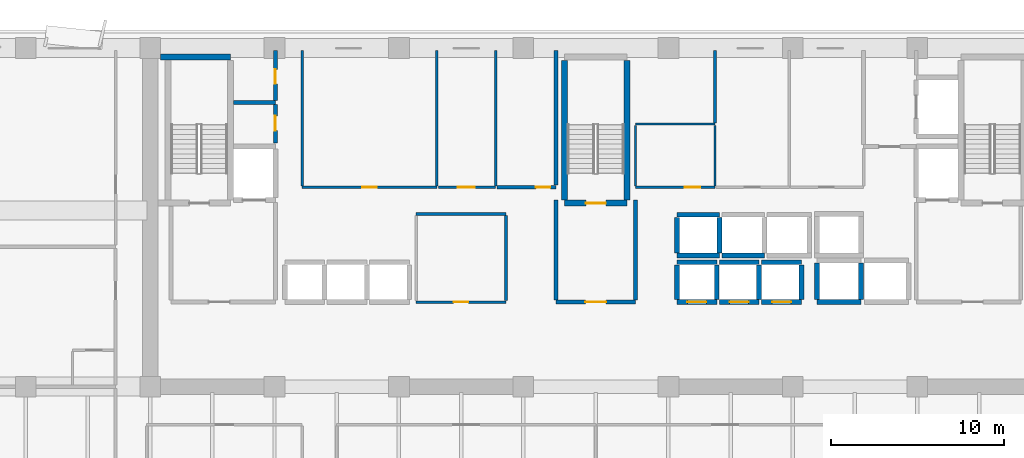
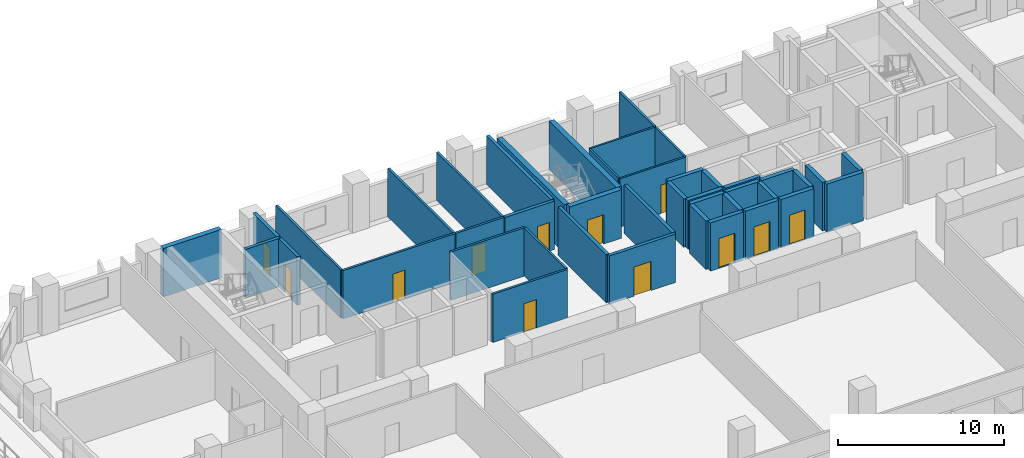
# One storey, part 8 of 16: 43 walls, 12 doors, 12 openings.
"""IFC4 building model written with IfcOpenShell, lengths in metres."""

from ifc_helpers import new_model, si_unit, direction, frame, frame_2d, origin, place, context, subcontext, project, spatial, rectangle, extrude, material, layer, layer_set, type_object, element, fill, save


model = new_model("IFC4")

# Units and contexts
model_context = context("Model", 3, precision=1e-05, world=origin(), true_north=direction((0.0, 1.0)))
body_context = subcontext(model_context, "Body", "Model", "MODEL_VIEW")
ifc_project = project(units=[si_unit("LENGTHUNIT", "METRE"), si_unit("AREAUNIT", "SQUARE_METRE"), si_unit("VOLUMEUNIT", "CUBIC_METRE"), si_unit("PLANEANGLEUNIT", "RADIAN"), si_unit("MASSUNIT", "GRAM", prefix="KILO")], contexts=[model_context])

# Site, building, storey
site_placement = place(None, origin())
site = spatial("IfcSite", under=ifc_project, at=site_placement, CompositionType="ELEMENT")
building_placement = place(site_placement, origin())
building = spatial("IfcBuilding", under=site, at=building_placement, Name="Kaelvorn Grand Hotel", CompositionType="ELEMENT")
storey_placement = place(building_placement, frame((0.0, 0.0, 135.35009765625)))
storey = spatial("IfcBuildingStorey", under=building, at=storey_placement, Name="L32", CompositionType="ELEMENT", Elevation=135.35009765625)

# Wall, opening, door
ifc_material_1 = material(Name="Moisture-Resistant Tile & Stud Board")
ifc_layer_1 = layer(ifc_material_1, 0.125)
ifc_layer_set_1 = layer_set([ifc_layer_1], Name="Moisture-Resistant Tile & Stud Board")
wall_type_1 = type_object("IfcWallType", Name="WL-PART-125-WET", PredefinedType="PARTITIONING", material=ifc_layer_set_1)
wall_1_placement = place(storey_placement, frame((44.300048828125, 40.949951171875, 0.0), z_axis=(0.0, 0.0, 1.0), x_axis=(1.0, 0.0, 0.0)))
wall_1 = element("IfcWall", 1, at=wall_1_placement, inside=storey, type_object=wall_type_1, Name="L32 Accessible WC S Partition", PredefinedType="PARTITIONING", context=body_context, shape_type="SweptSolid", body=[
    extrude(rectangle(XDim=4.599853515625, YDim=0.125, at=frame_2d((2.2998046875, 0.0))), origin(), (0.0, 0.0, 1.0), 3.559814453125),
])
opening_1_placement = place(wall_1_placement, frame((2.85009765625, 0.0, 0.0)))
opening_1 = element("IfcOpeningElement", 2, at=opening_1_placement, cuts=wall_1, Name="Opening DI4", PredefinedType="OPENING", context=body_context, shape_type="SweptSolid", body=[
    extrude(rectangle(XDim=0.89990234375, YDim=2.10009765625, at=frame_2d((0.449951171875, 1.050048828125))), frame((0.0, 0.072509765625, 0.0), z_axis=(0.0, -1.0, 0.0), x_axis=(1.0, 0.0, 0.0)), (0.0, 0.0, 1.0), 0.14501953125),
])
ifc_material_2 = material(Name="Timber Veneer Leaf", Category="wood")
door_type_1 = type_object("IfcDoorType", Name="DR-INT-BATH-900x2100", OperationType="NOTDEFINED", PredefinedType="DOOR", material=ifc_material_2)
door_1_placement = place(opening_1_placement, origin())
door_1 = element("IfcDoor", 3, at=door_1_placement, inside=storey, type_object=door_type_1, Name="L32 Accessible WC Door", OperationType="SINGLE_SWING_RIGHT", OverallHeight=2.10009765625, OverallWidth=0.89990234375, PredefinedType="DOOR", context=body_context, shape_type="SweptSolid", body=[
    extrude(rectangle(XDim=0.89990234375, YDim=2.10009765625, at=frame_2d((0.449951171875, 1.050048828125))), frame((0.0, 0.02490234375, 0.0), z_axis=(0.0, -1.0, 0.0), x_axis=(1.0, 0.0, 0.0)), (0.0, 0.0, 1.0), 0.050048828125),
])
fill(opening_1, door_1)

# Walls
wall_2_placement = place(storey_placement, frame((44.300048828125, 44.60009765625, 0.0), z_axis=(0.0, 0.0, 1.0), x_axis=(1.0, 0.0, 0.0)))
element("IfcWall", 4, at=wall_2_placement, inside=storey, type_object=wall_type_1, Name="L32 Accessible WC N Partition", PredefinedType="PARTITIONING", context=body_context, shape_type="SweptSolid", body=[
    extrude(rectangle(XDim=4.599853515625, YDim=0.125, at=frame_2d((2.2998046875, 0.0))), origin(), (0.0, 0.0, 1.0), 3.559814453125),
])
for number, where, z_axis, x_axis, name in (
    (5, (44.300048828125, 41.017578125, 0.0), (0.0, 0.0, 1.0), (0.0, 1.0, 0.0), "L32 Accessible WC W Partition"),
    (6, (48.89990234375, 41.017578125, 0.0), (0.0, 0.0, 1.0), (0.0, 1.0, 0.0), "L32 Accessible WC E Partition"),
):
    element("IfcWall", number, at=place(storey_placement, frame(where, z_axis=z_axis, x_axis=x_axis)), inside=storey, type_object=wall_type_1, Name=name, PredefinedType="PARTITIONING", context=body_context, shape_type="SweptSolid", body=[
        extrude(rectangle(XDim=3.514892578125, YDim=0.125, at=frame_2d((1.75732421875, 0.0))), origin(), (0.0, 0.0, 1.0), 3.559814453125),
    ])

# Wall, opening, door
ifc_material_3 = material(Name="Acoustic Gypsum & Stud Partition")
ifc_layer_2 = layer(ifc_material_3, 0.14990234375)
ifc_layer_set_2 = layer_set([ifc_layer_2], Name="Acoustic Gypsum & Stud Partition")
wall_type_2 = type_object("IfcWallType", Name="WL-PART-150-EI60", PredefinedType="PARTITIONING", material=ifc_layer_set_2)
wall_3_placement = place(storey_placement, frame((31.60009765625, 34.300048828125, 0.0), z_axis=(0.0, 0.0, 1.0), x_axis=(1.0, 0.0, 0.0)))
wall_3 = element("IfcWall", 7, at=wall_3_placement, inside=storey, type_object=wall_type_2, Name="L32 Core Telecoms & BMS Server Room S Partition", PredefinedType="PARTITIONING", context=body_context, shape_type="SweptSolid", body=[
    extrude(rectangle(XDim=5.199951171875, YDim=0.14990234375, at=frame_2d((2.60009765625, 0.0))), origin(), (0.0, 0.0, 1.0), 3.559814453125),
])
opening_2_placement = place(wall_3_placement, frame((2.175048828125, 0.0, 0.0)))
opening_2 = element("IfcOpeningElement", 8, at=opening_2_placement, cuts=wall_3, Name="Opening DI7", PredefinedType="OPENING", context=body_context, shape_type="SweptSolid", body=[
    extrude(rectangle(XDim=0.85009765625, YDim=2.10009765625, at=frame_2d((0.425048828125, 1.050048828125))), frame((0.0, 0.0849609375, 0.0), z_axis=(0.0, -1.0, 0.0), x_axis=(1.0, 0.0, 0.0)), (0.0, 0.0, 1.0), 0.169921875),
])
ifc_material_4 = material(Name="Powder-Coated Steel Leaf", Category="steel")
door_type_2 = type_object("IfcDoorType", Name="DR-INT-RISER-850x2100", OperationType="NOTDEFINED", PredefinedType="DOOR", material=ifc_material_4)
door_2_placement = place(opening_2_placement, origin())
door_2 = element("IfcDoor", 9, at=door_2_placement, inside=storey, type_object=door_type_2, Name="L32 Core Telecoms & BMS Server Room Door", OperationType="SINGLE_SWING_RIGHT", OverallHeight=2.10009765625, OverallWidth=0.85009765625, PredefinedType="DOOR", context=body_context, shape_type="SweptSolid", body=[
    extrude(rectangle(XDim=0.85009765625, YDim=2.10009765625, at=frame_2d((0.425048828125, 1.050048828125))), frame((0.0, 0.02490234375, 0.0), z_axis=(0.0, -1.0, 0.0), x_axis=(1.0, 0.0, 0.0)), (0.0, 0.0, 1.0), 0.050048828125),
])
fill(opening_2, door_2)

# Walls
wall_4_placement = place(storey_placement, frame((31.60009765625, 39.39990234375, 0.0), z_axis=(0.0, 0.0, 1.0), x_axis=(1.0, 0.0, 0.0)))
element("IfcWall", 10, at=wall_4_placement, inside=storey, type_object=wall_type_2, Name="L32 Core Telecoms & BMS Server Room N Partition", PredefinedType="PARTITIONING", context=body_context, shape_type="SweptSolid", body=[
    extrude(rectangle(XDim=5.199951171875, YDim=0.14990234375, at=frame_2d((2.60009765625, 0.0))), origin(), (0.0, 0.0, 1.0), 3.559814453125),
])
wall_5_placement = place(storey_placement, frame((36.800048828125, 34.3798828125, 0.0), z_axis=(0.0, 0.0, 1.0), x_axis=(0.0, 1.0, 0.0)))
element("IfcWall", 11, at=wall_5_placement, inside=storey, type_object=wall_type_2, Name="L32 Core Telecoms & BMS Server Room E Partition", PredefinedType="PARTITIONING", context=body_context, shape_type="SweptSolid", body=[
    extrude(rectangle(XDim=4.940185546875, YDim=0.14990234375, at=frame_2d((2.47021484375, 0.0))), origin(), (0.0, 0.0, 1.0), 3.559814453125),
])

# Wall, opening, door
wall_6_placement = place(storey_placement, frame((25.0, 40.949951171875, 0.0), z_axis=(0.0, 0.0, 1.0), x_axis=(1.0, 0.0, 0.0)))
wall_6 = element("IfcWall", 12, at=wall_6_placement, inside=storey, type_object=wall_type_2, Name="L32 Housekeeping & Linen Room S Partition", PredefinedType="PARTITIONING", context=body_context, shape_type="SweptSolid", body=[
    extrude(rectangle(XDim=7.800048828125, YDim=0.14990234375, at=frame_2d((3.89990234375, 0.0))), origin(), (0.0, 0.0, 1.0), 3.559814453125),
])
opening_3_placement = place(wall_6_placement, frame((3.47509765625, 0.0, 0.0)))
opening_3 = element("IfcOpeningElement", 13, at=opening_3_placement, cuts=wall_6, Name="Opening DI7", PredefinedType="OPENING", context=body_context, shape_type="SweptSolid", body=[
    extrude(rectangle(XDim=0.85009765625, YDim=2.10009765625, at=frame_2d((0.425048828125, 1.050048828125))), frame((0.0, 0.0849609375, 0.0), z_axis=(0.0, -1.0, 0.0), x_axis=(1.0, 0.0, 0.0)), (0.0, 0.0, 1.0), 0.169921875),
])
door_3_placement = place(opening_3_placement, origin())
door_3 = element("IfcDoor", 14, at=door_3_placement, inside=storey, type_object=door_type_2, Name="L32 Housekeeping & Linen Room Door", OperationType="SINGLE_SWING_LEFT", OverallHeight=2.10009765625, OverallWidth=0.85009765625, PredefinedType="DOOR", context=body_context, shape_type="SweptSolid", body=[
    extrude(rectangle(XDim=0.85009765625, YDim=2.10009765625, at=frame_2d((0.425048828125, 1.050048828125))), frame((0.0, 0.02490234375, 0.0), z_axis=(0.0, -1.0, 0.0), x_axis=(1.0, 0.0, 0.0)), (0.0, 0.0, 1.0), 0.050048828125),
])
fill(opening_3, door_3)

# Walls
for number, where, z_axis, x_axis, name in (
    (15, (25.0, 41.030029296875, 0.0), (0.0, 0.0, 1.0), (0.0, 1.0, 0.0), "L32 Housekeeping & Linen Room W Partition"),
    (16, (32.800048828125, 41.030029296875, 0.0), (0.0, 0.0, 1.0), (0.0, 1.0, 0.0), "L32 Housekeeping & Linen Room E Partition"),
):
    element("IfcWall", number, at=place(storey_placement, frame(where, z_axis=z_axis, x_axis=x_axis)), inside=storey, type_object=wall_type_2, Name=name, PredefinedType="PARTITIONING", context=body_context, shape_type="SweptSolid", body=[
        extrude(rectangle(XDim=7.820068359375, YDim=0.14990234375, at=frame_2d((3.91015625, 0.0))), origin(), (0.0, 0.0, 1.0), 3.559814453125),
    ])

# Wall, opening, door
wall_7_placement = place(storey_placement, frame((32.8798828125, 40.949951171875, 0.0), z_axis=(0.0, 0.0, 1.0), x_axis=(1.0, 0.0, 0.0)))
wall_7 = element("IfcWall", 17, at=wall_7_placement, inside=storey, type_object=wall_type_2, Name="L32 Floor Butler Tea Point S Partition", PredefinedType="PARTITIONING", context=body_context, shape_type="SweptSolid", body=[
    extrude(rectangle(XDim=3.320068359375, YDim=0.14990234375, at=frame_2d((1.66015625, 0.0))), origin(), (0.0, 0.0, 1.0), 3.559814453125),
])
opening_4_placement = place(wall_7_placement, frame((1.1201171875, 0.0, 0.0)))
opening_4 = element("IfcOpeningElement", 18, at=opening_4_placement, cuts=wall_7, Name="Opening DI3", PredefinedType="OPENING", context=body_context, shape_type="SweptSolid", body=[
    extrude(rectangle(XDim=1.0, YDim=2.14990234375, at=frame_2d((0.5, 1.074951171875))), frame((0.0, 0.0849609375, 0.0), z_axis=(0.0, -1.0, 0.0), x_axis=(1.0, 0.0, 0.0)), (0.0, 0.0, 1.0), 0.169921875),
])
ifc_material_5 = material(Name="Timber Veneer Fire Leaf", Category="wood")
door_type_3 = type_object("IfcDoorType", Name="DR-INT-GUEST-1000x2150", OperationType="NOTDEFINED", PredefinedType="DOOR", material=ifc_material_5)
door_4_placement = place(opening_4_placement, origin())
door_4 = element("IfcDoor", 19, at=door_4_placement, inside=storey, type_object=door_type_3, Name="L32 Floor Butler Tea Point Door", OperationType="SINGLE_SWING_RIGHT", OverallHeight=2.14990234375, OverallWidth=1.0, PredefinedType="DOOR", context=body_context, shape_type="SweptSolid", body=[
    extrude(rectangle(XDim=1.0, YDim=2.14990234375, at=frame_2d((0.5, 1.074951171875))), frame((0.0, 0.02490234375, 0.0), z_axis=(0.0, -1.0, 0.0), x_axis=(1.0, 0.0, 0.0)), (0.0, 0.0, 1.0), 0.050048828125),
])
fill(opening_4, door_4)

# Walls
wall_8_placement = place(storey_placement, frame((36.199951171875, 41.030029296875, 0.0), z_axis=(0.0, 0.0, 1.0), x_axis=(0.0, 1.0, 0.0)))
element("IfcWall", 20, at=wall_8_placement, inside=storey, type_object=wall_type_2, Name="L32 Floor Butler Tea Point E Partition", PredefinedType="PARTITIONING", context=body_context, shape_type="SweptSolid", body=[
    extrude(rectangle(XDim=7.820068359375, YDim=0.14990234375, at=frame_2d((3.91015625, 0.0))), origin(), (0.0, 0.0, 1.0), 3.559814453125),
])
wall_9_placement = place(storey_placement, frame((48.89990234375, 44.66748046875, 0.0), z_axis=(0.0, 0.0, 1.0), x_axis=(0.0, 1.0, 0.0)))
element("IfcWall", 21, at=wall_9_placement, inside=storey, type_object=wall_type_2, Name="L32 Minibar & Glassware Store W Partition", PredefinedType="PARTITIONING", context=body_context, shape_type="SweptSolid", body=[
    extrude(rectangle(XDim=4.1826171875, YDim=0.14990234375, at=frame_2d((2.09130859375, 0.0))), origin(), (0.0, 0.0, 1.0), 3.559814453125),
])

# Wall, opening, door
ifc_material_6 = material(Name="Concrete C40/50", Category="concrete")
ifc_layer_3 = layer(ifc_material_6, 0.219970703125)
ifc_layer_set_3 = layer_set([ifc_layer_3], Name="Concrete C40/50")
wall_type_3 = type_object("IfcWallType", Name="WL-PART-220-EI120", PredefinedType="PARTITIONING", material=ifc_layer_set_3)
wall_10_placement = place(storey_placement, frame((39.699951171875, 34.300048828125, 0.0), z_axis=(0.0, 0.0, 1.0), x_axis=(1.0, 0.0, 0.0)))
wall_10 = element("IfcWall", 22, at=wall_10_placement, inside=storey, type_object=wall_type_3, Name="L32 Central Stair Escape Vestibule S Partition", PredefinedType="PARTITIONING", context=body_context, shape_type="SweptSolid", body=[
    extrude(rectangle(XDim=4.60009765625, YDim=0.219970703125, at=frame_2d((2.300048828125, 0.0))), origin(), (0.0, 0.0, 1.0), 3.559814453125),
])
opening_5_placement = place(wall_10_placement, frame((1.699951171875, 0.0, 0.0)))
opening_5 = element("IfcOpeningElement", 23, at=opening_5_placement, cuts=wall_10, Name="Opening DI2", PredefinedType="OPENING", context=body_context, shape_type="SweptSolid", body=[
    extrude(rectangle(XDim=1.199951171875, YDim=2.14990234375, at=frame_2d((0.60009765625, 1.074951171875))), frame((0.0, 0.1201171875, 0.0), z_axis=(0.0, -1.0, 0.0), x_axis=(1.0, 0.0, 0.0)), (0.0, 0.0, 1.0), 0.239990234375),
])
door_type_4 = type_object("IfcDoorType", Name="DR-INT-FFLOB-1200x2150", OperationType="NOTDEFINED", PredefinedType="DOOR", material=ifc_material_5)
door_5_placement = place(opening_5_placement, origin())
door_5 = element("IfcDoor", 24, at=door_5_placement, inside=storey, type_object=door_type_4, Name="L32 Central Stair Escape Vestibule Door", OperationType="SINGLE_SWING_RIGHT", OverallHeight=2.14990234375, OverallWidth=1.199951171875, PredefinedType="DOOR", context=body_context, shape_type="SweptSolid", body=[
    extrude(rectangle(XDim=1.199951171875, YDim=2.14990234375, at=frame_2d((0.60009765625, 1.074951171875))), frame((0.0, 0.02490234375, 0.0), z_axis=(0.0, -1.0, 0.0), x_axis=(1.0, 0.0, 0.0)), (0.0, 0.0, 1.0), 0.050048828125),
])
fill(opening_5, door_5)

# Walls
for number, where, z_axis, x_axis, name in (
    (25, (39.699951171875, 34.4150390625, 0.0), (0.0, 0.0, 1.0), (0.0, 1.0, 0.0), "L32 Central Stair Escape Vestibule W Partition"),
    (26, (44.300048828125, 34.4150390625, 0.0), (0.0, 0.0, 1.0), (0.0, 1.0, 0.0), "L32 Central Stair Escape Vestibule E Partition"),
):
    element("IfcWall", number, at=place(storey_placement, frame(where, z_axis=z_axis, x_axis=x_axis)), inside=storey, type_object=wall_type_3, Name=name, PredefinedType="PARTITIONING", context=body_context, shape_type="SweptSolid", body=[
        extrude(rectangle(XDim=5.784912109375, YDim=0.219970703125, at=frame_2d((2.892578125, 0.0))), origin(), (0.0, 0.0, 1.0), 3.559814453125),
    ])
wall_11_placement = place(storey_placement, frame((21.034912109375, 45.85009765625, 0.0), z_axis=(0.0, 0.0, 1.0), x_axis=(1.0, 0.0, 0.0)))
element("IfcWall", 27, at=wall_11_placement, inside=storey, type_object=wall_type_3, Name="L32 Wet Fire & Plumbing Riser Shaft N Partition", PredefinedType="PARTITIONING", context=body_context, shape_type="SweptSolid", body=[
    extrude(rectangle(XDim=2.4150390625, YDim=0.219970703125, at=frame_2d((1.20751953125, 0.0))), origin(), (0.0, 0.0, 1.0), 3.559814453125),
])

# Wall, opening, door
wall_12_placement = place(storey_placement, frame((23.449951171875, 43.5, 0.0), z_axis=(0.0, 0.0, 1.0), x_axis=(0.0, 1.0, 0.0)))
wall_12 = element("IfcWall", 28, at=wall_12_placement, inside=storey, type_object=wall_type_3, Name="L32 Wet Fire & Plumbing Riser Shaft E Partition", PredefinedType="PARTITIONING", context=body_context, shape_type="SweptSolid", body=[
    extrude(rectangle(XDim=2.235107421875, YDim=0.219970703125, at=frame_2d((1.11767578125, 0.0))), origin(), (0.0, 0.0, 1.0), 3.559814453125),
])
opening_6_placement = place(wall_12_placement, frame((0.72509765625, 0.0, 0.0)))
opening_6 = element("IfcOpeningElement", 29, at=opening_6_placement, cuts=wall_12, Name="Opening DI7", PredefinedType="OPENING", context=body_context, shape_type="SweptSolid", body=[
    extrude(rectangle(XDim=0.85009765625, YDim=2.10009765625, at=frame_2d((0.425048828125, 1.050048828125))), frame((0.0, 0.1201171875, 0.0), z_axis=(0.0, -1.0, 0.0), x_axis=(1.0, 0.0, 0.0)), (0.0, 0.0, 1.0), 0.239990234375),
])
door_6_placement = place(opening_6_placement, origin())
door_6 = element("IfcDoor", 30, at=door_6_placement, inside=storey, type_object=door_type_2, Name="L32 Wet Fire & Plumbing Riser Shaft Door", OperationType="SINGLE_SWING_RIGHT", OverallHeight=2.10009765625, OverallWidth=0.85009765625, PredefinedType="DOOR", context=body_context, shape_type="SweptSolid", body=[
    extrude(rectangle(XDim=0.85009765625, YDim=2.10009765625, at=frame_2d((0.425048828125, 1.050048828125))), frame((0.0, 0.02490234375, 0.0), z_axis=(0.0, -1.0, 0.0), x_axis=(1.0, 0.0, 0.0)), (0.0, 0.0, 1.0), 0.050048828125),
])
fill(opening_6, door_6)

wall_13_placement = place(storey_placement, frame((23.449951171875, 45.965087890625, 0.0), z_axis=(0.0, 0.0, 1.0), x_axis=(0.0, 1.0, 0.0)))
wall_13 = element("IfcWall", 31, at=wall_13_placement, inside=storey, type_object=wall_type_3, Name="L32 HV Electrical & Smoke Riser E Partition", PredefinedType="PARTITIONING", context=body_context, shape_type="SweptSolid", body=[
    extrude(rectangle(XDim=2.885009765625, YDim=0.219970703125, at=frame_2d((1.4423828125, 0.0))), origin(), (0.0, 0.0, 1.0), 3.559814453125),
])
opening_7_placement = place(wall_13_placement, frame((0.9599609375, 0.0, 0.0)))
opening_7 = element("IfcOpeningElement", 32, at=opening_7_placement, cuts=wall_13, Name="Opening DI7", PredefinedType="OPENING", context=body_context, shape_type="SweptSolid", body=[
    extrude(rectangle(XDim=0.85009765625, YDim=2.10009765625, at=frame_2d((0.425048828125, 1.050048828125))), frame((0.0, 0.1201171875, 0.0), z_axis=(0.0, -1.0, 0.0), x_axis=(1.0, 0.0, 0.0)), (0.0, 0.0, 1.0), 0.239990234375),
])
door_7_placement = place(opening_7_placement, origin())
door_7 = element("IfcDoor", 33, at=door_7_placement, inside=storey, type_object=door_type_2, Name="L32 HV Electrical & Smoke Riser Door", OperationType="SINGLE_SWING_LEFT", OverallHeight=2.10009765625, OverallWidth=0.85009765625, PredefinedType="DOOR", context=body_context, shape_type="SweptSolid", body=[
    extrude(rectangle(XDim=0.85009765625, YDim=2.10009765625, at=frame_2d((0.425048828125, 1.050048828125))), frame((0.0, 0.02490234375, 0.0), z_axis=(0.0, -1.0, 0.0), x_axis=(1.0, 0.0, 0.0)), (0.0, 0.0, 1.0), 0.050048828125),
])
fill(opening_7, door_7)

wall_14_placement = place(storey_placement, frame((36.280029296875, 40.949951171875, 0.0), z_axis=(0.0, 0.0, 1.0), x_axis=(1.0, 0.0, 0.0)))
wall_14 = element("IfcWall", 34, at=wall_14_placement, inside=storey, type_object=wall_type_3, Name="L32 LV Electrical & Metering Room S Partition", PredefinedType="PARTITIONING", context=body_context, shape_type="SweptSolid", body=[
    extrude(rectangle(XDim=3.419921875, YDim=0.219970703125, at=frame_2d((1.7099609375, 0.0))), origin(), (0.0, 0.0, 1.0), 3.559814453125),
])
opening_8_placement = place(wall_14_placement, frame((2.2451171875, 0.0, 0.0)))
opening_8 = element("IfcOpeningElement", 35, at=opening_8_placement, cuts=wall_14, Name="Opening DI7", PredefinedType="OPENING", context=body_context, shape_type="SweptSolid", body=[
    extrude(rectangle(XDim=0.85009765625, YDim=2.10009765625, at=frame_2d((0.425048828125, 1.050048828125))), frame((0.0, 0.1201171875, 0.0), z_axis=(0.0, -1.0, 0.0), x_axis=(1.0, 0.0, 0.0)), (0.0, 0.0, 1.0), 0.239990234375),
])
door_8_placement = place(opening_8_placement, origin())
door_8 = element("IfcDoor", 36, at=door_8_placement, inside=storey, type_object=door_type_2, Name="L32 LV Electrical & Metering Room Door", OperationType="SINGLE_SWING_LEFT", OverallHeight=2.10009765625, OverallWidth=0.85009765625, PredefinedType="DOOR", context=body_context, shape_type="SweptSolid", body=[
    extrude(rectangle(XDim=0.85009765625, YDim=2.10009765625, at=frame_2d((0.425048828125, 1.050048828125))), frame((0.0, 0.02490234375, 0.0), z_axis=(0.0, -1.0, 0.0), x_axis=(1.0, 0.0, 0.0)), (0.0, 0.0, 1.0), 0.050048828125),
])
fill(opening_8, door_8)

# Wall
wall_15_placement = place(storey_placement, frame((39.699951171875, 41.06494140625, 0.0), z_axis=(0.0, 0.0, 1.0), x_axis=(0.0, 1.0, 0.0)))
element("IfcWall", 37, at=wall_15_placement, inside=storey, type_object=wall_type_3, Name="L32 LV Electrical & Metering Room E Partition", PredefinedType="PARTITIONING", context=body_context, shape_type="SweptSolid", body=[
    extrude(rectangle(XDim=7.78515625, YDim=0.219970703125, at=frame_2d((3.892578125, 0.0))), origin(), (0.0, 0.0, 1.0), 3.559814453125),
])

# Wall, opening, door
ifc_material_7 = material(Name="Concrete C50/60", Category="concrete")
ifc_layer_4 = layer(ifc_material_7, 0.280029296875)
ifc_layer_set_4 = layer_set([ifc_layer_4], Name="Concrete C50/60")
wall_type_4 = type_object("IfcWallType", Name="WL-SHAFT-280-C50", PredefinedType="SHEAR", material=ifc_layer_set_4)
wall_16_placement = place(storey_placement, frame((46.699951171875, 34.300048828125, 0.0), z_axis=(0.0, 0.0, 1.0), x_axis=(1.0, 0.0, 0.0)))
wall_16 = element("IfcWall", 38, at=wall_16_placement, inside=storey, type_object=wall_type_4, Name="L32 Lift PL-M1 Shaft South Wall", PredefinedType="SHEAR", context=body_context, shape_type="SweptSolid", body=[
    extrude(rectangle(XDim=2.300048828125, YDim=0.280029296875, at=frame_2d((1.14990234375, 0.0))), origin(), (0.0, 0.0, 1.0), 3.559814453125),
])
opening_9_placement = place(wall_16_placement, frame((0.60009765625, 0.0, 0.0)))
opening_9 = element("IfcOpeningElement", 39, at=opening_9_placement, cuts=wall_16, Name="Opening LD-PL-M1", PredefinedType="OPENING", context=body_context, shape_type="SweptSolid", body=[
    extrude(rectangle(XDim=1.10009765625, YDim=2.199951171875, at=frame_2d((0.550048828125, 1.10009765625))), frame((0.0, 0.14990234375, 0.0), z_axis=(0.0, -1.0, 0.0), x_axis=(1.0, 0.0, 0.0)), (0.0, 0.0, 1.0), 0.300048828125),
])
ifc_material_8 = material(Name="Stainless Steel", Category="steel")
door_type_5 = type_object("IfcDoorType", Name="DR-LIFT-PASS-1100x2200", OperationType="DOUBLE_DOOR_SLIDING", PredefinedType="DOOR", material=ifc_material_8)
door_9_placement = place(opening_9_placement, origin())
door_9 = element("IfcDoor", 40, at=door_9_placement, inside=storey, type_object=door_type_5, Name="L32 Lift PL-M1 Sliding Landing Door LD-PL-M1", OperationType="DOUBLE_DOOR_SLIDING", OverallHeight=2.199951171875, OverallWidth=1.10009765625, PredefinedType="DOOR", context=body_context, shape_type="SweptSolid", body=[
    extrude(rectangle(XDim=1.10009765625, YDim=2.199951171875, at=frame_2d((0.550048828125, 1.10009765625))), frame((0.0, 0.02490234375, 0.0), z_axis=(0.0, -1.0, 0.0), x_axis=(1.0, 0.0, 0.0)), (0.0, 0.0, 1.0), 0.050048828125),
])
fill(opening_9, door_9)

# Walls
wall_17_placement = place(storey_placement, frame((46.699951171875, 36.60009765625, 0.0), z_axis=(0.0, 0.0, 1.0), x_axis=(1.0, 0.0, 0.0)))
element("IfcWall", 41, at=wall_17_placement, inside=storey, type_object=wall_type_4, Name="L32 Lift PL-M1 Shaft North Wall", PredefinedType="SHEAR", context=body_context, shape_type="SweptSolid", body=[
    extrude(rectangle(XDim=2.300048828125, YDim=0.280029296875, at=frame_2d((1.14990234375, 0.0))), origin(), (0.0, 0.0, 1.0), 3.559814453125),
])
for number, where, z_axis, x_axis, name in (
    (42, (46.699951171875, 34.445068359375, 0.0), (0.0, 0.0, 1.0), (0.0, 1.0, 0.0), "L32 Lift PL-M1 Shaft West Wall"),
    (43, (49.0, 34.445068359375, 0.0), (0.0, 0.0, 1.0), (0.0, 1.0, 0.0), "L32 Lift PL-M1 Shaft East Wall"),
):
    element("IfcWall", number, at=place(storey_placement, frame(where, z_axis=z_axis, x_axis=x_axis)), inside=storey, type_object=wall_type_4, Name=name, PredefinedType="SHEAR", context=body_context, shape_type="SweptSolid", body=[
        extrude(rectangle(XDim=2.010009765625, YDim=0.280029296875, at=frame_2d((1.0048828125, 0.0))), origin(), (0.0, 0.0, 1.0), 3.559814453125),
    ])

# Wall, opening, door
wall_18_placement = place(storey_placement, frame((49.14990234375, 34.300048828125, 0.0), z_axis=(0.0, 0.0, 1.0), x_axis=(1.0, 0.0, 0.0)))
wall_18 = element("IfcWall", 44, at=wall_18_placement, inside=storey, type_object=wall_type_4, Name="L32 Lift PL-M2 Shaft South Wall", PredefinedType="SHEAR", context=body_context, shape_type="SweptSolid", body=[
    extrude(rectangle(XDim=2.300048828125, YDim=0.280029296875, at=frame_2d((1.14990234375, 0.0))), origin(), (0.0, 0.0, 1.0), 3.559814453125),
])
opening_10_placement = place(wall_18_placement, frame((0.60009765625, 0.0, 0.0)))
opening_10 = element("IfcOpeningElement", 45, at=opening_10_placement, cuts=wall_18, Name="Opening LD-PL-M2", PredefinedType="OPENING", context=body_context, shape_type="SweptSolid", body=[
    extrude(rectangle(XDim=1.10009765625, YDim=2.199951171875, at=frame_2d((0.550048828125, 1.10009765625))), frame((0.0, 0.14990234375, 0.0), z_axis=(0.0, -1.0, 0.0), x_axis=(1.0, 0.0, 0.0)), (0.0, 0.0, 1.0), 0.300048828125),
])
door_10_placement = place(opening_10_placement, origin())
door_10 = element("IfcDoor", 46, at=door_10_placement, inside=storey, type_object=door_type_5, Name="L32 Lift PL-M2 Sliding Landing Door LD-PL-M2", OperationType="DOUBLE_DOOR_SLIDING", OverallHeight=2.199951171875, OverallWidth=1.10009765625, PredefinedType="DOOR", context=body_context, shape_type="SweptSolid", body=[
    extrude(rectangle(XDim=1.10009765625, YDim=2.199951171875, at=frame_2d((0.550048828125, 1.10009765625))), frame((0.0, 0.02490234375, 0.0), z_axis=(0.0, -1.0, 0.0), x_axis=(1.0, 0.0, 0.0)), (0.0, 0.0, 1.0), 0.050048828125),
])
fill(opening_10, door_10)

# Walls
wall_19_placement = place(storey_placement, frame((49.14990234375, 36.60009765625, 0.0), z_axis=(0.0, 0.0, 1.0), x_axis=(1.0, 0.0, 0.0)))
element("IfcWall", 47, at=wall_19_placement, inside=storey, type_object=wall_type_4, Name="L32 Lift PL-M2 Shaft North Wall", PredefinedType="SHEAR", context=body_context, shape_type="SweptSolid", body=[
    extrude(rectangle(XDim=2.300048828125, YDim=0.280029296875, at=frame_2d((1.14990234375, 0.0))), origin(), (0.0, 0.0, 1.0), 3.559814453125),
])
wall_20_placement = place(storey_placement, frame((51.449951171875, 34.445068359375, 0.0), z_axis=(0.0, 0.0, 1.0), x_axis=(0.0, 1.0, 0.0)))
element("IfcWall", 48, at=wall_20_placement, inside=storey, type_object=wall_type_4, Name="L32 Lift PL-M2 Shaft East Wall", PredefinedType="SHEAR", context=body_context, shape_type="SweptSolid", body=[
    extrude(rectangle(XDim=2.010009765625, YDim=0.280029296875, at=frame_2d((1.0048828125, 0.0))), origin(), (0.0, 0.0, 1.0), 3.559814453125),
])

# Wall, opening, door
wall_21_placement = place(storey_placement, frame((51.60009765625, 34.300048828125, 0.0), z_axis=(0.0, 0.0, 1.0), x_axis=(1.0, 0.0, 0.0)))
wall_21 = element("IfcWall", 49, at=wall_21_placement, inside=storey, type_object=wall_type_4, Name="L32 Lift PL-M3 Shaft South Wall", PredefinedType="SHEAR", context=body_context, shape_type="SweptSolid", body=[
    extrude(rectangle(XDim=2.2998046875, YDim=0.280029296875, at=frame_2d((1.14990234375, 0.0))), origin(), (0.0, 0.0, 1.0), 3.559814453125),
])
opening_11_placement = place(wall_21_placement, frame((0.60009765625, 0.0, 0.0)))
opening_11 = element("IfcOpeningElement", 50, at=opening_11_placement, cuts=wall_21, Name="Opening LD-PL-M3", PredefinedType="OPENING", context=body_context, shape_type="SweptSolid", body=[
    extrude(rectangle(XDim=1.10009765625, YDim=2.199951171875, at=frame_2d((0.550048828125, 1.10009765625))), frame((0.0, 0.14990234375, 0.0), z_axis=(0.0, -1.0, 0.0), x_axis=(1.0, 0.0, 0.0)), (0.0, 0.0, 1.0), 0.300048828125),
])
door_11_placement = place(opening_11_placement, origin())
door_11 = element("IfcDoor", 51, at=door_11_placement, inside=storey, type_object=door_type_5, Name="L32 Lift PL-M3 Sliding Landing Door LD-PL-M3", OperationType="DOUBLE_DOOR_SLIDING", OverallHeight=2.199951171875, OverallWidth=1.10009765625, PredefinedType="DOOR", context=body_context, shape_type="SweptSolid", body=[
    extrude(rectangle(XDim=1.10009765625, YDim=2.199951171875, at=frame_2d((0.550048828125, 1.10009765625))), frame((0.0, 0.02490234375, 0.0), z_axis=(0.0, -1.0, 0.0), x_axis=(1.0, 0.0, 0.0)), (0.0, 0.0, 1.0), 0.050048828125),
])
fill(opening_11, door_11)

# Walls
wall_22_placement = place(storey_placement, frame((51.60009765625, 36.60009765625, 0.0), z_axis=(0.0, 0.0, 1.0), x_axis=(1.0, 0.0, 0.0)))
element("IfcWall", 52, at=wall_22_placement, inside=storey, type_object=wall_type_4, Name="L32 Lift PL-M3 Shaft North Wall", PredefinedType="SHEAR", context=body_context, shape_type="SweptSolid", body=[
    extrude(rectangle(XDim=2.2998046875, YDim=0.280029296875, at=frame_2d((1.14990234375, 0.0))), origin(), (0.0, 0.0, 1.0), 3.559814453125),
])
wall_23_placement = place(storey_placement, frame((53.89990234375, 34.445068359375, 0.0), z_axis=(0.0, 0.0, 1.0), x_axis=(0.0, 1.0, 0.0)))
element("IfcWall", 53, at=wall_23_placement, inside=storey, type_object=wall_type_4, Name="L32 Lift PL-M3 Shaft East Wall", PredefinedType="SHEAR", context=body_context, shape_type="SweptSolid", body=[
    extrude(rectangle(XDim=2.010009765625, YDim=0.280029296875, at=frame_2d((1.0048828125, 0.0))), origin(), (0.0, 0.0, 1.0), 3.559814453125),
])
for number, where, z_axis, x_axis, name in (
    (54, (46.699951171875, 37.0, 0.0), (0.0, 0.0, 1.0), (1.0, 0.0, 0.0), "L32 Lift SL-1 Shaft South Wall"),
    (55, (46.699951171875, 39.35009765625, 0.0), (0.0, 0.0, 1.0), (1.0, 0.0, 0.0), "L32 Lift SL-1 Shaft North Wall"),
):
    element("IfcWall", number, at=place(storey_placement, frame(where, z_axis=z_axis, x_axis=x_axis)), inside=storey, type_object=wall_type_4, Name=name, PredefinedType="SHEAR", context=body_context, shape_type="SweptSolid", body=[
        extrude(rectangle(XDim=2.449951171875, YDim=0.280029296875, at=frame_2d((1.22509765625, 0.0))), origin(), (0.0, 0.0, 1.0), 3.559814453125),
    ])
for number, where, z_axis, x_axis, name in (
    (56, (46.699951171875, 37.14501953125, 0.0), (0.0, 0.0, 1.0), (0.0, 1.0, 0.0), "L32 Lift SL-1 Shaft West Wall"),
    (57, (49.14990234375, 37.14501953125, 0.0), (0.0, 0.0, 1.0), (0.0, 1.0, 0.0), "L32 Lift SL-1 Shaft East Wall"),
):
    element("IfcWall", number, at=place(storey_placement, frame(where, z_axis=z_axis, x_axis=x_axis)), inside=storey, type_object=wall_type_4, Name=name, PredefinedType="SHEAR", context=body_context, shape_type="SweptSolid", body=[
        extrude(rectangle(XDim=2.06005859375, YDim=0.280029296875, at=frame_2d((1.030029296875, 0.0))), origin(), (0.0, 0.0, 1.0), 3.559814453125),
    ])
wall_24_placement = place(storey_placement, frame((49.300048828125, 37.0, 0.0), z_axis=(0.0, 0.0, 1.0), x_axis=(1.0, 0.0, 0.0)))
element("IfcWall", 58, at=wall_24_placement, inside=storey, type_object=wall_type_4, Name="L32 Lift SL-2 Shaft South Wall", PredefinedType="SHEAR", context=body_context, shape_type="SweptSolid", body=[
    extrude(rectangle(XDim=2.449951171875, YDim=0.280029296875, at=frame_2d((1.22509765625, 0.0))), origin(), (0.0, 0.0, 1.0), 3.559814453125),
])
wall_25_placement = place(storey_placement, frame((54.800048828125, 34.300048828125, 0.0), z_axis=(0.0, 0.0, 1.0), x_axis=(1.0, 0.0, 0.0)))
element("IfcWall", 59, at=wall_25_placement, inside=storey, type_object=wall_type_4, Name="L32 Lift OL-1 Shaft South Wall", PredefinedType="SHEAR", context=body_context, shape_type="SweptSolid", body=[
    extrude(rectangle(XDim=2.550048828125, YDim=0.280029296875, at=frame_2d((1.27490234375, 0.0))), origin(), (0.0, 0.0, 1.0), 3.559814453125),
])
for number, where, z_axis, x_axis, name in (
    (60, (54.800048828125, 34.445068359375, 0.0), (0.0, 0.0, 1.0), (0.0, 1.0, 0.0), "L32 Lift OL-1 Shaft West Wall"),
    (61, (57.35009765625, 34.445068359375, 0.0), (0.0, 0.0, 1.0), (0.0, 1.0, 0.0), "L32 Lift OL-1 Shaft East Wall"),
):
    element("IfcWall", number, at=place(storey_placement, frame(where, z_axis=z_axis, x_axis=x_axis)), inside=storey, type_object=wall_type_4, Name=name, PredefinedType="SHEAR", context=body_context, shape_type="SweptSolid", body=[
        extrude(rectangle(XDim=2.10986328125, YDim=0.280029296875, at=frame_2d((1.054931640625, 0.0))), origin(), (0.0, 0.0, 1.0), 3.559814453125),
    ])
ifc_material_9 = material(Name="Concrete C60/75", Category="concrete")
ifc_layer_5 = layer(ifc_material_9, 0.35009765625)
ifc_layer_set_5 = layer_set([ifc_layer_5], Name="Concrete C60/75")
wall_type_5 = type_object("IfcWallType", Name="WL-SHAFT-350-C60", PredefinedType="SHEAR", material=ifc_layer_set_5)
wall_26_placement = place(storey_placement, frame((16.804931640625, 48.47509765625, 0.0), z_axis=(0.0, 0.0, 1.0), x_axis=(1.0, 0.0, 0.0)))
element("IfcWall", 62, at=wall_26_placement, inside=storey, type_object=wall_type_5, Name="L32 ST1 Stair Shaft North Wall", PredefinedType="SHEAR", context=body_context, shape_type="SweptSolid", body=[
    extrude(rectangle(XDim=4.050048828125, YDim=0.35009765625, at=frame_2d((2.02490234375, 0.0))), origin(), (0.0, 0.0, 1.0), 3.559814453125),
])

# Wall, opening, door
wall_27_placement = place(storey_placement, frame((40.18505859375, 40.02490234375, 0.0), z_axis=(0.0, 0.0, 1.0), x_axis=(1.0, 0.0, 0.0)))
wall_27 = element("IfcWall", 63, at=wall_27_placement, inside=storey, type_object=wall_type_5, Name="L32 ST2 Stair Shaft South Wall", PredefinedType="SHEAR", context=body_context, shape_type="SweptSolid", body=[
    extrude(rectangle(XDim=3.6298828125, YDim=0.35009765625, at=frame_2d((1.81494140625, 0.0))), origin(), (0.0, 0.0, 1.0), 3.559814453125),
])
opening_12_placement = place(wall_27_placement, frame((1.239990234375, 0.0, 0.0)))
opening_12 = element("IfcOpeningElement", 64, at=opening_12_placement, cuts=wall_27, Name="Opening DI1", PredefinedType="OPENING", context=body_context, shape_type="SweptSolid", body=[
    extrude(rectangle(XDim=1.14990234375, YDim=2.14990234375, at=frame_2d((0.574951171875, 1.074951171875))), frame((0.0, 0.18505859375, 0.0), z_axis=(0.0, -1.0, 0.0), x_axis=(1.0, 0.0, 0.0)), (0.0, 0.0, 1.0), 0.3701171875),
])
door_type_6 = type_object("IfcDoorType", Name="DR-INT-STAIR-1150x2150", OperationType="NOTDEFINED", PredefinedType="DOOR", material=ifc_material_5)
door_12_placement = place(opening_12_placement, origin())
door_12 = element("IfcDoor", 65, at=door_12_placement, inside=storey, type_object=door_type_6, Name="L32 ST2 Exit Stair Fire Door", OperationType="SINGLE_SWING_RIGHT", OverallHeight=2.14990234375, OverallWidth=1.14990234375, PredefinedType="DOOR", context=body_context, shape_type="SweptSolid", body=[
    extrude(rectangle(XDim=1.14990234375, YDim=2.14990234375, at=frame_2d((0.574951171875, 1.074951171875))), frame((0.0, 0.02490234375, 0.0), z_axis=(0.0, -1.0, 0.0), x_axis=(1.0, 0.0, 0.0)), (0.0, 0.0, 1.0), 0.050048828125),
])
fill(opening_12, door_12)

# Walls
for number, where, z_axis, x_axis, name in (
    (66, (40.18505859375, 40.205078125, 0.0), (0.0, 0.0, 1.0), (0.0, 1.0, 0.0), "L32 ST2 Stair Shaft West Wall"),
    (67, (43.81494140625, 40.205078125, 0.0), (0.0, 0.0, 1.0), (0.0, 1.0, 0.0), "L32 ST2 Stair Shaft East Wall"),
):
    element("IfcWall", number, at=place(storey_placement, frame(where, z_axis=z_axis, x_axis=x_axis)), inside=storey, type_object=wall_type_5, Name=name, PredefinedType="SHEAR", context=body_context, shape_type="SweptSolid", body=[
        extrude(rectangle(XDim=8.08984375, YDim=0.35009765625, at=frame_2d((4.044921875, 0.0))), origin(), (0.0, 0.0, 1.0), 3.559814453125),
    ])

save(model, "model.ifc")
